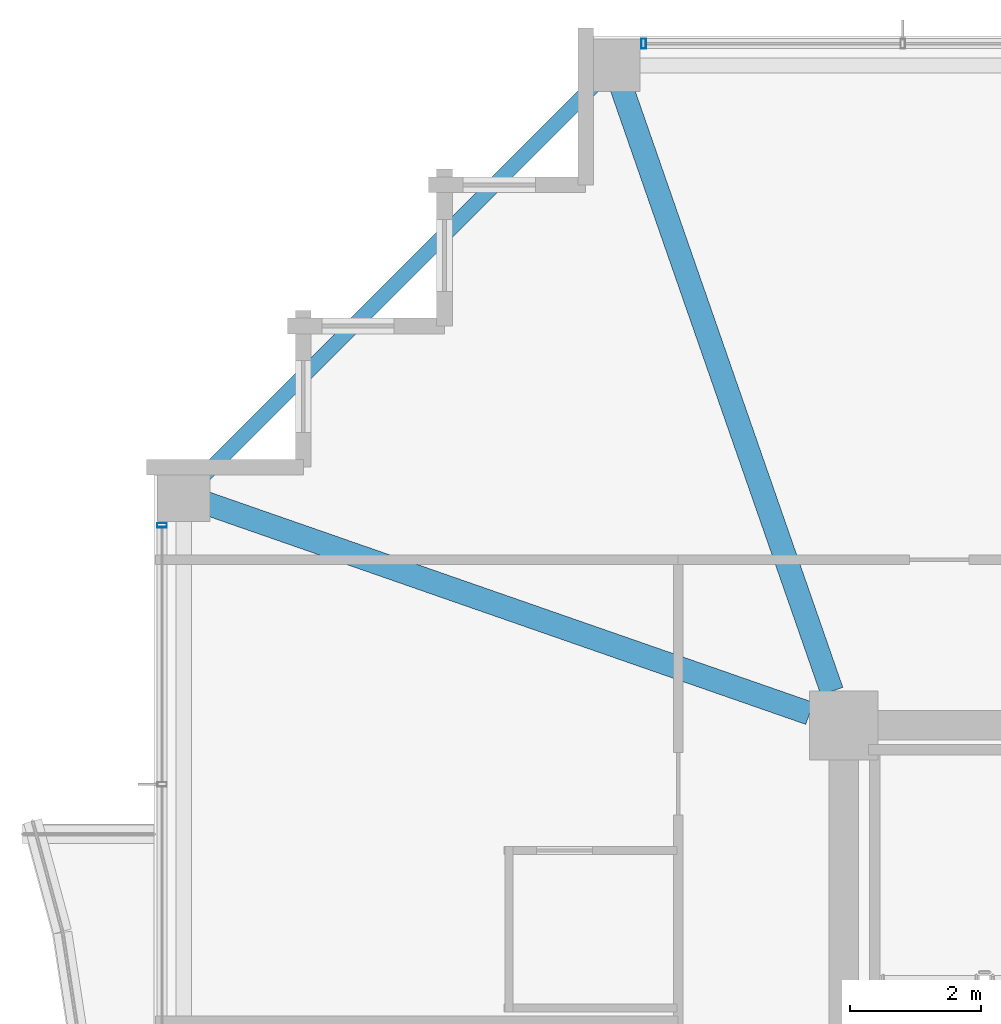
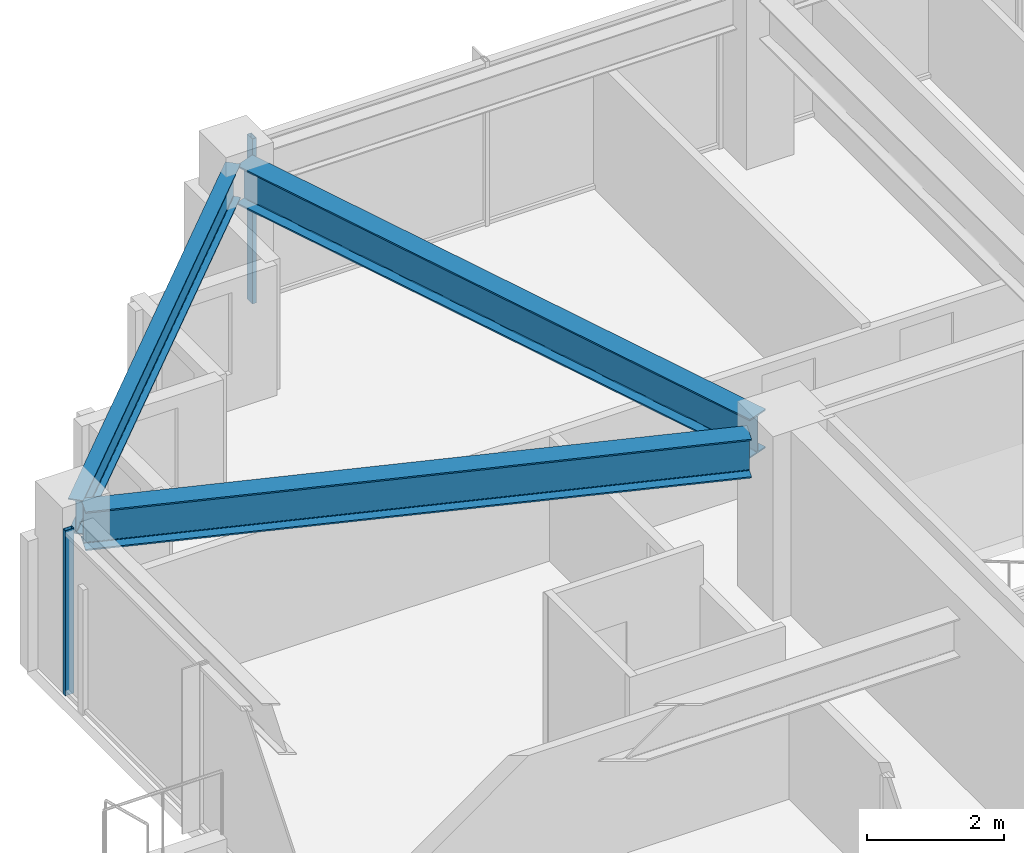
# One storey, part 16 of 34: 3 beams, 2 members, 2 elements without a shape of their own.
"""IFC4 building model written with IfcOpenShell, lengths in metres."""

from ifc_helpers import new_model, si_unit, direction, frame, origin, origin_2d, place, context, subcontext, project, spatial, hollow_rectangle, i_section, extrude, material, material_profile, profile_set, type_object, element, aggregate, save


model = new_model("IFC4")

# Units and contexts
model_context = context("Model", 3, precision=1e-05, world=origin(), true_north=direction((0.0, 1.0)))
body_context = subcontext(model_context, "Body", "Model", "MODEL_VIEW")
ifc_project = project(units=[si_unit("LENGTHUNIT", "METRE"), si_unit("AREAUNIT", "SQUARE_METRE"), si_unit("VOLUMEUNIT", "CUBIC_METRE"), si_unit("PLANEANGLEUNIT", "RADIAN"), si_unit("MASSUNIT", "GRAM", prefix="KILO")], contexts=[model_context])

# Site, building, storey
site_placement = place(None, origin())
site = spatial("IfcSite", under=ifc_project, at=site_placement, CompositionType="ELEMENT")
building_placement = place(site_placement, origin())
building = spatial("IfcBuilding", under=site, at=building_placement, Name="Kolvaren Belvedere", CompositionType="ELEMENT")
storey_placement = place(building_placement, frame((0.0, 0.0, 229.5)))
storey = spatial("IfcBuildingStorey", under=building, at=storey_placement, Name="L67", CompositionType="ELEMENT", Elevation=229.5)

# Beams
ifc_material_1 = material(Name="Structural steel ASTM A992 Grade 50", Category="steel")
ifc_material_profile_1 = material_profile(ifc_material_1, i_section(OverallWidth=0.35498046875, OverallDepth=0.696044921875, WebThickness=0.015380859375, FlangeThickness=0.02490234375, FilletRadius=0.02197265625, at=origin_2d()), Name="W27X146")
ifc_profile_set_1 = profile_set([ifc_material_profile_1], Name="Structural steel ASTM A992 Grade 50")
beam_type_1 = type_object("IfcBeamType", Name="BM-GIRD-W27X146", PredefinedType="BEAM", material=ifc_profile_set_1)
for number, where, z_axis, x_axis, name in (
    (1, (-10.080810546875, 10.41943359375, 2.60205078125), (-0.328898147971, 0.944365399758, 0.0), (-0.944365399758, -0.328898147971, 0.0), "L67 Corner Core-to-Perimeter Girder CC4-N1"),
    (2, (-10.41943359375, 10.080810546875, 2.60205078125), (-0.944365399758, 0.328898147971, 0.0), (-0.328898147971, -0.944365399758, 0.0), "L67 Corner Core-to-Perimeter Girder CC4-W4"),
):
    element("IfcBeam", number, at=place(storey_placement, frame(where, z_axis=z_axis, x_axis=x_axis)), inside=storey, type_object=beam_type_1, Name=name, PredefinedType="BEAM", context=body_context, shape_type="SweptSolid", body=[
        extrude(i_section(OverallWidth=0.35498046875, OverallDepth=0.696044921875, WebThickness=0.015380859375, FlangeThickness=0.02490234375, FilletRadius=0.02197265625, at=origin_2d()), origin(), (0.0, 0.0, 1.0), 9.931884765625),
    ])
ifc_material_2 = material(Name="Structural steel ASTM A992 Grade 50", Category="steel")
ifc_material_profile_2 = material_profile(ifc_material_2, i_section(OverallWidth=0.22900390625, OverallDepth=0.612060546875, WebThickness=0.011962890625, FlangeThickness=0.01953125, FilletRadius=0.01806640625, at=origin_2d()), Name="W24X84")
ifc_profile_set_2 = profile_set([ifc_material_profile_2], Name="Structural steel ASTM A992 Grade 50")
beam_type_2 = type_object("IfcBeamType", Name="BM-SPAN-W24X84", PredefinedType="SPANDREL", material=ifc_profile_set_2)
beam_placement = place(storey_placement, frame((-13.52734375, 19.82275390625, 2.64404296875), z_axis=(-0.707106781187, -0.707106781187, 0.0), x_axis=(0.707106781187, -0.707106781187, 0.0)))
element("IfcBeam", 3, at=beam_placement, inside=storey, type_object=beam_type_2, Name="L67 Perimeter Spandrel N1-W4", PredefinedType="SPANDREL", context=body_context, shape_type="SweptSolid", body=[
    extrude(i_section(OverallWidth=0.22900390625, OverallDepth=0.612060546875, WebThickness=0.011962890625, FlangeThickness=0.01953125, FilletRadius=0.01806640625, at=origin_2d()), origin(), (0.0, 0.0, 1.0), 8.903076171875),
])

# Curtain wall, member
ifc_material_3 = material(Name="Anodised pale-metal aluminium AA 6063-T6", Category="aluminium")
curtain_wall_type = type_object("IfcCurtainWallType", Name="CW-Z5-HIGH", PredefinedType="NOTDEFINED", material=ifc_material_3)
curtain_wall_1_placement = place(storey_placement, origin())
curtain_wall_1 = element("IfcCurtainWall", 4, at=curtain_wall_1_placement, inside=storey, type_object=curtain_wall_type, Name="L67 Unitised Curtain Wall FCW-L67-N-B1", PredefinedType="NOTDEFINED")
ifc_material_4 = material(Name="Anodised pale-metal aluminium AA 6063-T6", Category="aluminium")
ifc_material_profile_3 = material_profile(ifc_material_4, hollow_rectangle(XDim=0.070068359375, YDim=0.14990234375, WallThickness=0.004150390625, at=origin_2d()), Name="ALU-MUL-150X70")
ifc_profile_set_3 = profile_set([ifc_material_profile_3], Name="Anodised pale-metal aluminium AA 6063-T6")
member_type = type_object("IfcMemberType", Name="CW-MUL-150", PredefinedType="MULLION", material=ifc_profile_set_3)
member_1_placement = place(storey_placement, frame((-12.945068359375, 20.280029296875, 0.0), z_axis=(0.0, 0.0, 1.0), x_axis=(1.0, 0.0, 0.0)))
member_1 = element("IfcMember", 5, at=member_1_placement, type_object=member_type, Name="FCW-L67-N-B1 Unitised Mullion 1", PredefinedType="MULLION", context=body_context, shape_type="SweptSolid", body=[
    extrude(hollow_rectangle(XDim=0.070068359375, YDim=0.14990234375, WallThickness=0.004150390625, at=origin_2d()), origin(), (0.0, 0.0, 1.0), 2.949951171875),
])
aggregate(curtain_wall_1, [member_1])

curtain_wall_2_placement = place(storey_placement, origin())
curtain_wall_2 = element("IfcCurtainWall", 6, at=curtain_wall_2_placement, inside=storey, type_object=curtain_wall_type, Name="L67 Unitised Curtain Wall FCW-L67-W2-B2", PredefinedType="NOTDEFINED")
member_2_placement = place(storey_placement, frame((-20.280029296875, 12.945068359375, 0.0), z_axis=(0.0, 0.0, 1.0), x_axis=(0.0, 1.0, 0.0)))
member_2 = element("IfcMember", 7, at=member_2_placement, type_object=member_type, Name="FCW-L67-W2-B2 Unitised Mullion 3", PredefinedType="MULLION", context=body_context, shape_type="SweptSolid", body=[
    extrude(hollow_rectangle(XDim=0.070068359375, YDim=0.14990234375, WallThickness=0.004150390625, at=origin_2d()), origin(), (0.0, 0.0, 1.0), 2.949951171875),
])
aggregate(curtain_wall_2, [member_2])

save(model, "model.ifc")
